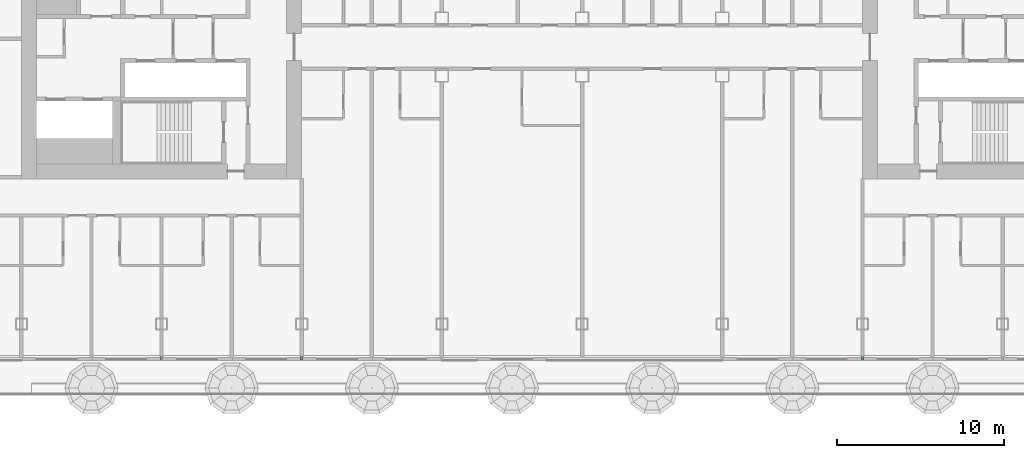
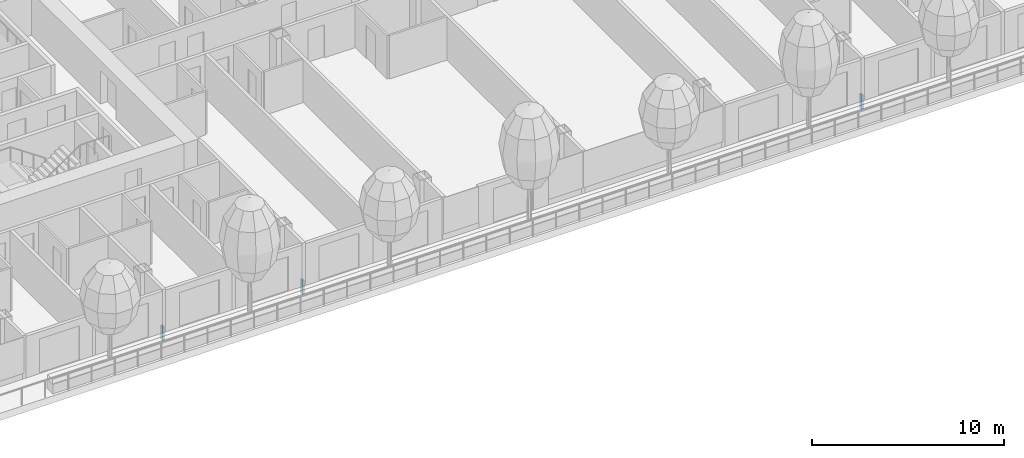
# One storey, part 8 of 32: 3 members, 1 element without a shape of its own.
"""IFC4 building model written with IfcOpenShell, lengths in metres."""

from ifc_helpers import new_model, si_unit, direction, frame, origin, origin_2d, place, context, subcontext, project, spatial, rectangle, extrude, material, layer, layer_set, material_profile, profile_set, type_object, element, aggregate, save


model = new_model("IFC4")

# Units and contexts
model_context = context("Model", 3, precision=1e-05, world=origin(), true_north=direction((0.0, 1.0)))
body_context = subcontext(model_context, "Body", "Model", "MODEL_VIEW")
ifc_project = project(units=[si_unit("LENGTHUNIT", "METRE"), si_unit("AREAUNIT", "SQUARE_METRE"), si_unit("VOLUMEUNIT", "CUBIC_METRE"), si_unit("PLANEANGLEUNIT", "RADIAN"), si_unit("MASSUNIT", "GRAM", prefix="KILO")], contexts=[model_context])

# Site, building, storey
site_placement = place(None, origin())
site = spatial("IfcSite", under=ifc_project, at=site_placement, CompositionType="ELEMENT")
building_placement = place(site_placement, origin())
building = spatial("IfcBuilding", under=site, at=building_placement, Name="Hakoniwa Tower and Hamabe Station Hall", CompositionType="ELEMENT")
storey_placement = place(building_placement, frame((0.0, 0.0, 150.199951171875)))
storey = spatial("IfcBuildingStorey", under=building, at=storey_placement, Name="L42", CompositionType="ELEMENT", Elevation=150.199951171875)

# Curtain wall, members
ifc_material_1 = material(Name="Dark low-e laminated glass", Category="glass")
ifc_layer = layer(ifc_material_1, 0.199951171875)
ifc_layer_set = layer_set([ifc_layer], Name="CW-1 UNITISED GUEST")
curtain_wall_type = type_object("IfcCurtainWallType", Name="CW-1 UNITISED GUEST", PredefinedType="NOTDEFINED", material=ifc_layer_set)
curtain_wall_placement = place(storey_placement, origin())
curtain_wall = element("IfcCurtainWall", 1, at=curtain_wall_placement, inside=storey, type_object=curtain_wall_type, Name="CW-1 curtain wall", PredefinedType="NOTDEFINED")
ifc_material_2 = material(Name="Aluminium 6063-T5 black anodised", Category="aluminium")
ifc_material_profile = material_profile(ifc_material_2, rectangle(XDim=0.199951171875, YDim=0.89990234375, at=origin_2d()), Name="CW SLAB-EDGE BAND 900X200")
ifc_profile_set = profile_set([ifc_material_profile], Name="Aluminium 6063-T5 black anodised")
member_type = type_object("IfcMemberType", Name="CW SLAB-EDGE BAND 900X200", PredefinedType="USERDEFINED", material=ifc_profile_set)
member_1_placement = place(storey_placement, frame((-25.260009765625, -19.14990234375, -0.099853515625), z_axis=(1.0, 0.0, 0.0), x_axis=(0.0, 1.0, 0.0)))
member_1 = element("IfcMember", 2, at=member_1_placement, type_object=member_type, Name="CW-1 transom", ObjectType="TRANSOM", PredefinedType="USERDEFINED", context=body_context, shape_type="SweptSolid", body=[
    extrude(rectangle(XDim=0.199951171875, YDim=0.89990234375, at=origin_2d()), origin(), (0.0, 0.0, 1.0), 0.1201171875),
])
member_2_placement = place(storey_placement, frame((-16.860107421875, -19.14990234375, -0.099853515625), z_axis=(1.0, 0.0, 0.0), x_axis=(0.0, 1.0, 0.0)))
member_2 = element("IfcMember", 3, at=member_2_placement, type_object=member_type, Name="CW-1 transom", ObjectType="TRANSOM", PredefinedType="USERDEFINED", context=body_context, shape_type="SweptSolid", body=[
    extrude(rectangle(XDim=0.199951171875, YDim=0.89990234375, at=origin_2d()), origin(), (0.0, 0.0, 1.0), 0.1201171875),
])
member_3_placement = place(storey_placement, frame((16.739990234375, -19.14990234375, -0.099853515625), z_axis=(1.0, 0.0, 0.0), x_axis=(0.0, 1.0, 0.0)))
member_3 = element("IfcMember", 4, at=member_3_placement, type_object=member_type, Name="CW-1 transom", ObjectType="TRANSOM", PredefinedType="USERDEFINED", context=body_context, shape_type="SweptSolid", body=[
    extrude(rectangle(XDim=0.199951171875, YDim=0.89990234375, at=origin_2d()), origin(), (0.0, 0.0, 1.0), 0.1201171875),
])
aggregate(curtain_wall, [member_1, member_2, member_3])

save(model, "model.ifc")
